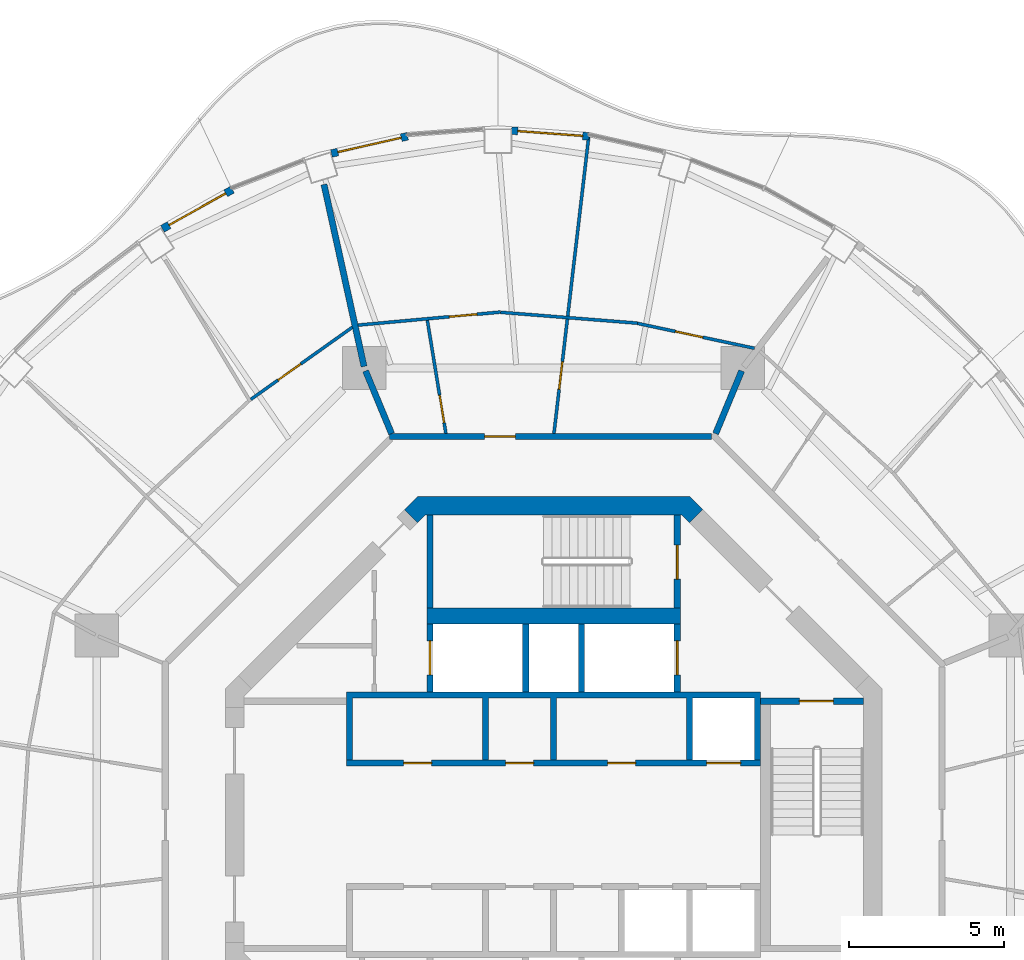
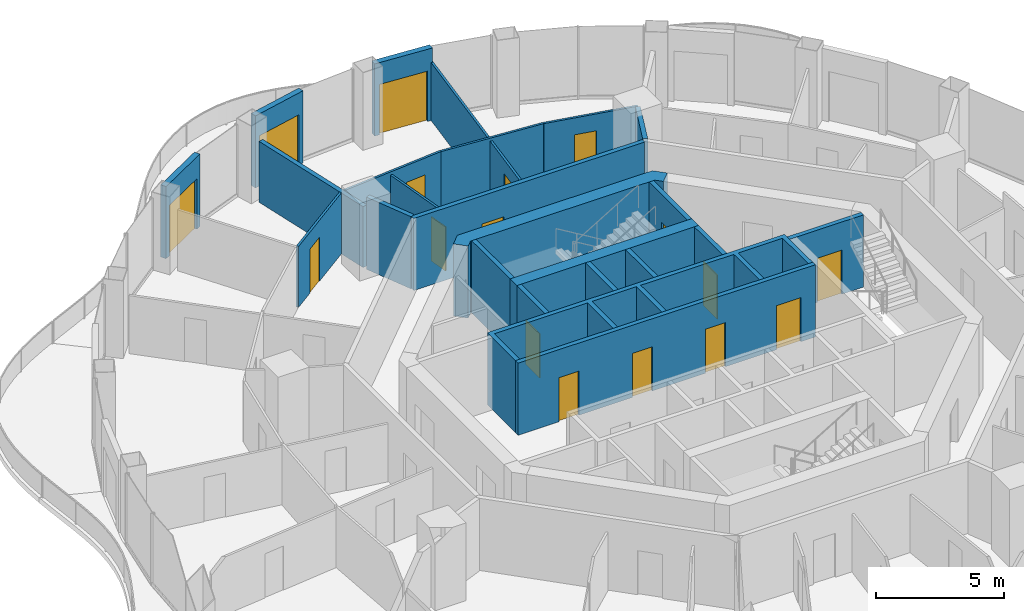
# One storey, part 13 of 17: 24 walls, 17 doors, 17 openings.
"""IFC4 building model written with IfcOpenShell, lengths in metres."""

from ifc_helpers import new_model, si_unit, direction, frame, frame_2d, origin, place, context, subcontext, project, spatial, polyline, rectangle, outline, extrude, material, layer, layer_set, type_object, element, fill, save


model = new_model("IFC4")

# Units and contexts
model_context = context("Model", 3, precision=1e-05, world=origin(), true_north=direction((0.0, 1.0)))
body_context = subcontext(model_context, "Body", "Model", "MODEL_VIEW")
ifc_project = project(units=[si_unit("LENGTHUNIT", "METRE"), si_unit("AREAUNIT", "SQUARE_METRE"), si_unit("VOLUMEUNIT", "CUBIC_METRE"), si_unit("PLANEANGLEUNIT", "RADIAN"), si_unit("MASSUNIT", "GRAM", prefix="KILO")], contexts=[model_context])

# Site, building, storey
site_placement = place(None, origin())
site = spatial("IfcSite", under=ifc_project, at=site_placement, CompositionType="ELEMENT")
building_placement = place(site_placement, origin())
building = spatial("IfcBuilding", under=site, at=building_placement, Name="Nagisa Residences", CompositionType="ELEMENT")
storey_placement = place(building_placement, frame((0.0, 0.0, 280.699951171875)))
storey = spatial("IfcBuildingStorey", under=building, at=storey_placement, Name="L71", CompositionType="ELEMENT", Elevation=280.699951171875)

# Walls
ifc_material_1 = material(Name="Gypsum board on steel studs", Category="steel")
ifc_layer_1 = layer(ifc_material_1, 0.199951171875)
ifc_layer_set_1 = layer_set([ifc_layer_1], Name="Apartment compartment wall EI60 200")
wall_type_1 = type_object("IfcWallType", Name="Apartment compartment wall EI60 200", PredefinedType="PARTITIONING", material=ifc_layer_set_1)
wall_1_placement = place(storey_placement, frame((5.24267578125, 12.6572265625, 0.0), z_axis=(0.0, 0.0, 1.0), x_axis=(0.382691608661, 0.923876145736, 0.0)))
element("IfcWall", 1, at=wall_1_placement, inside=storey, type_object=wall_type_1, Name="wall:L71:u02", PredefinedType="PARTITIONING", context=body_context, shape_type="SweptSolid", body=[
    extrude(rectangle(XDim=2.19970703125, YDim=0.199951171875, at=frame_2d((1.099853515625, 0.0))), origin(), (0.0, 0.0, 1.0), 3.43994140625),
])
wall_2_placement = place(storey_placement, frame((-5.24267578125, 12.6572265625, 0.0), z_axis=(0.0, 0.0, 1.0), x_axis=(-0.38273085373, 0.923859888513, 0.0)))
element("IfcWall", 2, at=wall_2_placement, inside=storey, type_object=wall_type_1, Name="wall:L71:u04", PredefinedType="PARTITIONING", context=body_context, shape_type="SweptSolid", body=[
    extrude(rectangle(XDim=2.199462890625, YDim=0.199951171875, at=frame_2d((1.099609375, 0.0))), origin(), (0.0, 0.0, 1.0), 3.43994140625),
])
wall_3_placement = place(storey_placement, frame((-6.133544921875, 14.830810546875, 0.0), z_axis=(0.0, 0.0, 1.0), x_axis=(-0.214842475666, 0.976648714047, 0.0)))
element("IfcWall", 3, at=wall_3_placement, inside=storey, type_object=wall_type_1, Name="wall:L71:u05", PredefinedType="PARTITIONING", context=body_context, shape_type="SweptSolid", body=[
    extrude(rectangle(XDim=6.03076171875, YDim=0.199951171875, at=frame_2d((3.015380859375, 0.0))), origin(), (0.0, 0.0, 1.0), 2.905029296875),
])

# Wall, opening, door
ifc_material_2 = material(Name="Gypsum board on steel studs", Category="steel")
ifc_layer_2 = layer(ifc_material_2, 0.199951171875)
ifc_layer_set_2 = layer_set([ifc_layer_2], Name="Apartment entry wall EI60 200")
wall_type_2 = type_object("IfcWallType", Name="Apartment entry wall EI60 200", PredefinedType="PARTITIONING", material=ifc_layer_set_2)
wall_4_placement = place(storey_placement, frame((5.1044921875, 12.564697265625, 0.0), z_axis=(0.0, 0.0, 1.0), x_axis=(-1.0, 0.0, 0.0)))
wall_4 = element("IfcWall", 4, at=wall_4_placement, inside=storey, type_object=wall_type_2, Name="wall:L71:u16", PredefinedType="PARTITIONING", context=body_context, shape_type="SweptSolid", body=[
    extrude(rectangle(XDim=10.408935546875, YDim=0.199951171875, at=frame_2d((5.20458984375, 0.0))), origin(), (0.0, 0.0, 1.0), 3.43994140625),
])
opening_1_placement = place(wall_4_placement, frame((6.33935546875, 0.0, 0.0)))
opening_1 = element("IfcOpeningElement", 5, at=opening_1_placement, cuts=wall_4, Name="Opening L71-U30", PredefinedType="OPENING", context=body_context, shape_type="SweptSolid", body=[
    extrude(rectangle(XDim=1.0, YDim=2.10009765625, at=frame_2d((0.5, 1.050048828125))), frame((0.0, 0.10986328125, 0.0), z_axis=(0.0, -1.0, 0.0), x_axis=(1.0, 0.0, 0.0)), (0.0, 0.0, 1.0), 0.219970703125),
])
ifc_material_3 = material(Name="Timber fire door set", Category="wood")
door_type_1 = type_object("IfcDoorType", Name="Apartment entry door FD30S 1000x2100", OperationType="NOTDEFINED", PredefinedType="DOOR", material=ifc_material_3)
door_1_placement = place(opening_1_placement, frame((1.0, 0.0, 0.0), x_axis=(-1.0, 0.0, 0.0)))
door_1 = element("IfcDoor", 6, at=door_1_placement, inside=storey, type_object=door_type_1, Name="Entry door, Apartment 71F", OperationType="SINGLE_SWING_LEFT", OverallHeight=2.10009765625, OverallWidth=1.0, PredefinedType="DOOR", context=body_context, shape_type="SweptSolid", body=[
    extrude(rectangle(XDim=1.0, YDim=2.10009765625, at=frame_2d((0.5, 1.050048828125))), frame((0.0, 0.02490234375, 0.0), z_axis=(0.0, -1.0, 0.0), x_axis=(1.0, 0.0, 0.0)), (0.0, 0.0, 1.0), 0.050048828125),
])
fill(opening_1, door_1)

ifc_material_4 = material(Name="Gypsum board on steel studs", Category="steel")
ifc_layer_3 = layer(ifc_material_4, 0.10009765625)
ifc_layer_set_3 = layer_set([ifc_layer_3], Name="Apartment partition 100")
wall_type_3 = type_object("IfcWallType", Name="Apartment partition 100", PredefinedType="PARTITIONING", material=ifc_layer_set_3)
wall_5_placement = place(storey_placement, frame((6.50048828125, 15.41943359375, 0.0), z_axis=(0.0, 0.0, 1.0), x_axis=(-0.978053492557, 0.208353943321, 0.0)))
wall_5 = element("IfcWall", 7, at=wall_5_placement, inside=storey, type_object=wall_type_3, Name="wall:L71:u33", PredefinedType="PARTITIONING", context=body_context, shape_type="SweptSolid", body=[
    extrude(rectangle(XDim=3.873779296875, YDim=0.10009765625, at=frame_2d((1.93701171875, 0.0))), origin(), (0.0, 0.0, 1.0), 2.905029296875),
])
opening_2_placement = place(wall_5_placement, frame((1.71435546875, 0.0, 0.0)))
opening_2 = element("IfcOpeningElement", 8, at=opening_2_placement, cuts=wall_5, Name="Opening L71-U33", PredefinedType="OPENING", context=body_context, shape_type="SweptSolid", body=[
    extrude(rectangle(XDim=0.89990234375, YDim=2.10009765625, at=frame_2d((0.449951171875, 1.050048828125))), frame((0.0, 0.06005859375, 0.0), z_axis=(0.0, -1.0, 0.0), x_axis=(1.0, 0.0, 0.0)), (0.0, 0.0, 1.0), 0.1201171875),
])
ifc_material_5 = material(Name="Timber door set", Category="wood")
door_type_2 = type_object("IfcDoorType", Name="Apartment door 900x2100", OperationType="NOTDEFINED", PredefinedType="DOOR", material=ifc_material_5)
door_2_placement = place(opening_2_placement, frame((0.89990234375, 0.0, 0.0), x_axis=(-1.0, 0.0, 0.0)))
door_2 = element("IfcDoor", 9, at=door_2_placement, inside=storey, type_object=door_type_2, Name="Door to kitchen, Apartment 71F", OperationType="SINGLE_SWING_RIGHT", OverallHeight=2.10009765625, OverallWidth=0.89990234375, PredefinedType="DOOR", context=body_context, shape_type="SweptSolid", body=[
    extrude(rectangle(XDim=0.89990234375, YDim=2.10009765625, at=frame_2d((0.449951171875, 1.050048828125))), frame((0.0, 0.02490234375, 0.0), z_axis=(0.0, -1.0, 0.0), x_axis=(1.0, 0.0, 0.0)), (0.0, 0.0, 1.0), 0.050048828125),
])
fill(opening_2, door_2)

# Wall
wall_6_placement = place(storey_placement, frame((2.712646484375, 16.23291015625, 0.0), z_axis=(0.0, 0.0, 1.0), x_axis=(-0.996870142942, 0.079056423588, 0.0)))
element("IfcWall", 10, at=wall_6_placement, inside=storey, type_object=wall_type_3, Name="wall:L71:u34", PredefinedType="PARTITIONING", context=body_context, shape_type="SweptSolid", body=[
    extrude(rectangle(XDim=4.437744140625, YDim=0.10009765625, at=frame_2d((2.21875, 0.0))), origin(), (0.0, 0.0, 1.0), 2.905029296875),
])

# Wall, opening, door
wall_7_placement = place(storey_placement, frame((0.01171875, 12.6640625, 0.0), z_axis=(0.0, 0.0, 1.0), x_axis=(0.11636251357, 0.993206808996, 0.0)))
wall_7 = element("IfcWall", 11, at=wall_7_placement, inside=storey, type_object=wall_type_3, Name="wall:L71:u35", PredefinedType="PARTITIONING", context=body_context, shape_type="SweptSolid", body=[
    extrude(rectangle(XDim=9.7646484375, YDim=0.10009765625, at=frame_2d((4.88232421875, 0.0))), origin(), (0.0, 0.0, 1.0), 2.761962890625),
])
opening_3_placement = place(wall_7_placement, frame((1.43701171875, 0.0, 0.0)))
opening_3 = element("IfcOpeningElement", 12, at=opening_3_placement, cuts=wall_7, Name="Opening L71-U31", PredefinedType="OPENING", context=body_context, shape_type="SweptSolid", body=[
    extrude(rectangle(XDim=0.89990234375, YDim=2.10009765625, at=frame_2d((0.449951171875, 1.050048828125))), frame((0.0, 0.06005859375, 0.0), z_axis=(0.0, -1.0, 0.0), x_axis=(1.0, 0.0, 0.0)), (0.0, 0.0, 1.0), 0.1201171875),
])
door_3_placement = place(opening_3_placement, frame((0.89990234375, 0.0, 0.0), x_axis=(-1.0, 0.0, 0.0)))
door_3 = element("IfcDoor", 13, at=door_3_placement, inside=storey, type_object=door_type_2, Name="Door to store, Apartment 71F", OperationType="SINGLE_SWING_RIGHT", OverallHeight=2.10009765625, OverallWidth=0.89990234375, PredefinedType="DOOR", context=body_context, shape_type="SweptSolid", body=[
    extrude(rectangle(XDim=0.89990234375, YDim=2.10009765625, at=frame_2d((0.449951171875, 1.050048828125))), frame((0.0, 0.02490234375, 0.0), z_axis=(0.0, -1.0, 0.0), x_axis=(1.0, 0.0, 0.0)), (0.0, 0.0, 1.0), 0.050048828125),
])
fill(opening_3, door_3)

wall_8_placement = place(storey_placement, frame((-1.711181640625, 16.59228515625, 0.0), z_axis=(0.0, 0.0, 1.0), x_axis=(-0.995843837247, -0.091077175065, 0.0)))
wall_8 = element("IfcWall", 14, at=wall_8_placement, inside=storey, type_object=wall_type_3, Name="wall:L71:u36", PredefinedType="PARTITIONING", context=body_context, shape_type="SweptSolid", body=[
    extrude(rectangle(XDim=4.634765625, YDim=0.10009765625, at=frame_2d((2.3173828125, 0.0))), origin(), (0.0, 0.0, 1.0), 2.905029296875),
])
opening_4_placement = place(wall_8_placement, frame((0.771240234375, 0.0, 0.0)))
opening_4 = element("IfcOpeningElement", 15, at=opening_4_placement, cuts=wall_8, Name="Opening L71-U34", PredefinedType="OPENING", context=body_context, shape_type="SweptSolid", body=[
    extrude(rectangle(XDim=0.89990234375, YDim=2.10009765625, at=frame_2d((0.449951171875, 1.050048828125))), frame((0.0, 0.06005859375, 0.0), z_axis=(0.0, -1.0, 0.0), x_axis=(1.0, 0.0, 0.0)), (0.0, 0.0, 1.0), 0.1201171875),
])
door_4_placement = place(opening_4_placement, frame((0.89990234375, 0.0, 0.0), x_axis=(-1.0, 0.0, 0.0)))
door_4 = element("IfcDoor", 16, at=door_4_placement, inside=storey, type_object=door_type_2, Name="Door to master bedroom, Apartment 71F", OperationType="SINGLE_SWING_LEFT", OverallHeight=2.10009765625, OverallWidth=0.89990234375, PredefinedType="DOOR", context=body_context, shape_type="SweptSolid", body=[
    extrude(rectangle(XDim=0.89990234375, YDim=2.10009765625, at=frame_2d((0.449951171875, 1.050048828125))), frame((0.0, 0.02490234375, 0.0), z_axis=(0.0, -1.0, 0.0), x_axis=(1.0, 0.0, 0.0)), (0.0, 0.0, 1.0), 0.050048828125),
])
fill(opening_4, door_4)

wall_9_placement = place(storey_placement, frame((-3.48583984375, 12.663330078125, 0.0), z_axis=(0.0, 0.0, 1.0), x_axis=(-0.161602751674, 0.986855891532, 0.0)))
wall_9 = element("IfcWall", 17, at=wall_9_placement, inside=storey, type_object=wall_type_3, Name="wall:L71:u37", PredefinedType="PARTITIONING", context=body_context, shape_type="SweptSolid", body=[
    extrude(rectangle(XDim=3.71044921875, YDim=0.10009765625, at=frame_2d((1.855224609375, 0.0))), origin(), (0.0, 0.0, 1.0), 2.761962890625),
])
opening_5_placement = place(wall_9_placement, frame((0.35009765625, 0.0, 0.0)))
opening_5 = element("IfcOpeningElement", 18, at=opening_5_placement, cuts=wall_9, Name="Opening L71-U32", PredefinedType="OPENING", context=body_context, shape_type="SweptSolid", body=[
    extrude(rectangle(XDim=0.89990234375, YDim=2.10009765625, at=frame_2d((0.449951171875, 1.050048828125))), frame((0.0, 0.06005859375, 0.0), z_axis=(0.0, -1.0, 0.0), x_axis=(1.0, 0.0, 0.0)), (0.0, 0.0, 1.0), 0.1201171875),
])
door_5_placement = place(opening_5_placement, origin())
door_5 = element("IfcDoor", 19, at=door_5_placement, inside=storey, type_object=door_type_2, Name="Door to family bathroom, Apartment 71F", OperationType="SINGLE_SWING_RIGHT", OverallHeight=2.10009765625, OverallWidth=0.89990234375, PredefinedType="DOOR", context=body_context, shape_type="SweptSolid", body=[
    extrude(rectangle(XDim=0.89990234375, YDim=2.10009765625, at=frame_2d((0.449951171875, 1.050048828125))), frame((0.0, 0.02490234375, 0.0), z_axis=(0.0, -1.0, 0.0), x_axis=(1.0, 0.0, 0.0)), (0.0, 0.0, 1.0), 0.050048828125),
])
fill(opening_5, door_5)

wall_10_placement = place(storey_placement, frame((-6.5078125, 16.10302734375, 0.0), z_axis=(0.0, 0.0, 1.0), x_axis=(-0.815202203556, -0.579176456114, 0.0)))
wall_10 = element("IfcWall", 20, at=wall_10_placement, inside=storey, type_object=wall_type_3, Name="wall:L71:u38", PredefinedType="PARTITIONING", context=body_context, shape_type="SweptSolid", body=[
    extrude(rectangle(XDim=4.0361328125, YDim=0.10009765625, at=frame_2d((2.01806640625, 0.0))), origin(), (0.0, 0.0, 1.0), 2.905029296875),
])
opening_6_placement = place(wall_10_placement, frame((2.055419921875, 0.0, 0.0)))
opening_6 = element("IfcOpeningElement", 21, at=opening_6_placement, cuts=wall_10, Name="Opening L71-U44", PredefinedType="OPENING", context=body_context, shape_type="SweptSolid", body=[
    extrude(rectangle(XDim=0.89990234375, YDim=2.10009765625, at=frame_2d((0.449951171875, 1.050048828125))), frame((0.0, 0.06005859375, 0.0), z_axis=(0.0, -1.0, 0.0), x_axis=(1.0, 0.0, 0.0)), (0.0, 0.0, 1.0), 0.1201171875),
])
door_6_placement = place(opening_6_placement, frame((0.89990234375, 0.0, 0.0), x_axis=(-1.0, 0.0, 0.0)))
door_6 = element("IfcDoor", 22, at=door_6_placement, inside=storey, type_object=door_type_2, Name="Door to kitchen, Apartment 71G", OperationType="SINGLE_SWING_LEFT", OverallHeight=2.10009765625, OverallWidth=0.89990234375, PredefinedType="DOOR", context=body_context, shape_type="SweptSolid", body=[
    extrude(rectangle(XDim=0.89990234375, YDim=2.10009765625, at=frame_2d((0.449951171875, 1.050048828125))), frame((0.0, 0.02490234375, 0.0), z_axis=(0.0, -1.0, 0.0), x_axis=(1.0, 0.0, 0.0)), (0.0, 0.0, 1.0), 0.050048828125),
])
fill(opening_6, door_6)

ifc_material_6 = material(Name="Precast concrete C40/50", Category="concrete")
ifc_layer_4 = layer(ifc_material_6, 0.25)
ifc_layer_set_4 = layer_set([ifc_layer_4], Name="BALCONY DOOR WALL 250")
wall_type_4 = type_object("IfcWallType", Name="BALCONY DOOR WALL 250", PredefinedType="SOLIDWALL", material=ifc_layer_set_4)
wall_11_placement = place(storey_placement, frame((-1.360595703125, 22.464111328125, 0.0), z_axis=(0.0, 0.0, 1.0), x_axis=(0.997229684519, -0.074383844448, 0.0)))
wall_11 = element("IfcWall", 23, at=wall_11_placement, inside=storey, type_object=wall_type_4, Name="wall:L71:bay11", PredefinedType="SOLIDWALL", context=body_context, shape_type="SweptSolid", body=[
    extrude(rectangle(XDim=2.5107421875, YDim=0.25, at=frame_2d((1.25537109375, 0.0))), origin(), (0.0, 0.0, 1.0), 3.43994140625),
])
opening_7_placement = place(wall_11_placement, frame((0.205322265625, 0.0, 0.0)))
opening_7 = element("IfcOpeningElement", 24, at=opening_7_placement, cuts=wall_11, Name="Opening BD-L71-04", PredefinedType="OPENING", context=body_context, shape_type="SweptSolid", body=[
    extrude(rectangle(XDim=2.10009765625, YDim=2.39990234375, at=frame_2d((1.050048828125, 1.199951171875))), frame((0.0, 0.135009765625, 0.0), z_axis=(0.0, -1.0, 0.0), x_axis=(1.0, 0.0, 0.0)), (0.0, 0.0, 1.0), 0.27001953125),
])
ifc_material_7 = material(Name="Aluminium and clear glass", Category="aluminium")
door_type_3 = type_object("IfcDoorType", Name="BALCONY SLIDING DOOR 2100x2400", OperationType="SLIDING_TO_LEFT", PredefinedType="DOOR", material=ifc_material_7)
door_7_placement = place(opening_7_placement, origin())
door_7 = element("IfcDoor", 25, at=door_7_placement, inside=storey, type_object=door_type_3, Name="door:L71:bay11", OperationType="SLIDING_TO_LEFT", OverallHeight=2.39990234375, OverallWidth=2.10009765625, PredefinedType="DOOR", context=body_context, shape_type="SweptSolid", body=[
    extrude(rectangle(XDim=2.10009765625, YDim=2.39990234375, at=frame_2d((1.050048828125, 1.199951171875))), frame((0.0, 0.02490234375, 0.0), z_axis=(0.0, -1.0, 0.0), x_axis=(1.0, 0.0, 0.0)), (0.0, 0.0, 1.0), 0.050048828125),
])
fill(opening_7, door_7)

wall_12_placement = place(storey_placement, frame((-7.18798828125, 21.72265625, 0.0), z_axis=(0.0, 0.0, 1.0), x_axis=(0.975319584032, 0.220797891756, 0.0)))
wall_12 = element("IfcWall", 26, at=wall_12_placement, inside=storey, type_object=wall_type_4, Name="wall:L71:bay13", PredefinedType="SOLIDWALL", context=body_context, shape_type="SweptSolid", body=[
    extrude(rectangle(XDim=2.525390625, YDim=0.25, at=frame_2d((1.2626953125, 0.0))), origin(), (0.0, 0.0, 1.0), 3.43994140625),
])
opening_8_placement = place(wall_12_placement, frame((0.212646484375, 0.0, 0.0)))
opening_8 = element("IfcOpeningElement", 27, at=opening_8_placement, cuts=wall_12, Name="Opening BD-L71-05", PredefinedType="OPENING", context=body_context, shape_type="SweptSolid", body=[
    extrude(rectangle(XDim=2.10009765625, YDim=2.39990234375, at=frame_2d((1.050048828125, 1.199951171875))), frame((0.0, 0.135009765625, 0.0), z_axis=(0.0, -1.0, 0.0), x_axis=(1.0, 0.0, 0.0)), (0.0, 0.0, 1.0), 0.27001953125),
])
door_8_placement = place(opening_8_placement, origin())
door_8 = element("IfcDoor", 28, at=door_8_placement, inside=storey, type_object=door_type_3, Name="door:L71:bay13", OperationType="SLIDING_TO_LEFT", OverallHeight=2.39990234375, OverallWidth=2.10009765625, PredefinedType="DOOR", context=body_context, shape_type="SweptSolid", body=[
    extrude(rectangle(XDim=2.10009765625, YDim=2.39990234375, at=frame_2d((1.050048828125, 1.199951171875))), frame((0.0, 0.02490234375, 0.0), z_axis=(0.0, -1.0, 0.0), x_axis=(1.0, 0.0, 0.0)), (0.0, 0.0, 1.0), 0.050048828125),
])
fill(opening_8, door_8)

wall_13_placement = place(storey_placement, frame((-12.656494140625, 19.284912109375, 0.0), z_axis=(0.0, 0.0, 1.0), x_axis=(0.872075426507, 0.489371485154, 0.0)))
wall_13 = element("IfcWall", 29, at=wall_13_placement, inside=storey, type_object=wall_type_4, Name="wall:L71:bay15", PredefinedType="SOLIDWALL", context=body_context, shape_type="SweptSolid", body=[
    extrude(rectangle(XDim=2.59326171875, YDim=0.25, at=frame_2d((1.296630859375, 0.0))), origin(), (0.0, 0.0, 1.0), 3.43994140625),
])
opening_9_placement = place(wall_13_placement, frame((0.24658203125, 0.0, 0.0)))
opening_9 = element("IfcOpeningElement", 30, at=opening_9_placement, cuts=wall_13, Name="Opening BD-L71-06", PredefinedType="OPENING", context=body_context, shape_type="SweptSolid", body=[
    extrude(rectangle(XDim=2.10009765625, YDim=2.39990234375, at=frame_2d((1.050048828125, 1.199951171875))), frame((0.0, 0.135009765625, 0.0), z_axis=(0.0, -1.0, 0.0), x_axis=(1.0, 0.0, 0.0)), (0.0, 0.0, 1.0), 0.27001953125),
])
door_9_placement = place(opening_9_placement, origin())
door_9 = element("IfcDoor", 31, at=door_9_placement, inside=storey, type_object=door_type_3, Name="door:L71:bay15", OperationType="SLIDING_TO_LEFT", OverallHeight=2.39990234375, OverallWidth=2.10009765625, PredefinedType="DOOR", context=body_context, shape_type="SweptSolid", body=[
    extrude(rectangle(XDim=2.10009765625, YDim=2.39990234375, at=frame_2d((1.050048828125, 1.199951171875))), frame((0.0, 0.02490234375, 0.0), z_axis=(0.0, -1.0, 0.0), x_axis=(1.0, 0.0, 0.0)), (0.0, 0.0, 1.0), 0.050048828125),
])
fill(opening_9, door_9)

# Wall
ifc_material_8 = material(Name="Concrete C60", Category="concrete")
ifc_layer_5 = layer(ifc_material_8, 0.60009765625)
ifc_layer_set_5 = layer_set([ifc_layer_5], Name="Core shear wall 600")
wall_type_5 = type_object("IfcWallType", Name="Core shear wall 600", PredefinedType="SHEAR", material=ifc_layer_set_5)
wall_14_placement = place(storey_placement, origin())
element("IfcWall", 32, at=wall_14_placement, inside=storey, type_object=wall_type_5, Name="wall:L71:core:flat2", PredefinedType="SHEAR", context=body_context, shape_type="SweptSolid", body=[
    extrude(outline(polyline([(-4.15234375, 10.024658203125), (-4.40087890625, 9.776123046875), (-4.8251953125, 10.200439453125), (-4.40087890625, 10.62451171875), (4.40087890625, 10.62451171875), (4.8251953125, 10.200439453125), (4.40087890625, 9.776123046875), (4.15234375, 10.024658203125), (-4.15234375, 10.024658203125)])), origin(), (0.0, 0.0, 1.0), 3.43994140625),
])

# Wall, opening, door
ifc_material_9 = material(Name="Concrete C60", Category="concrete")
ifc_layer_6 = layer(ifc_material_9, 0.199951171875)
ifc_layer_set_6 = layer_set([ifc_layer_6], Name="Lift shaft wall 200")
wall_type_6 = type_object("IfcWallType", Name="Lift shaft wall 200", PredefinedType="SOLIDWALL", material=ifc_layer_set_6)
wall_15_placement = place(storey_placement, frame((4.0, 4.300048828125, 0.0), z_axis=(0.0, 0.0, 1.0), x_axis=(0.0, 1.0, 0.0)))
wall_15 = element("IfcWall", 33, at=wall_15_placement, inside=storey, type_object=wall_type_6, Name="wall:L71:Nb3", PredefinedType="SOLIDWALL", context=body_context, shape_type="SweptSolid", body=[
    extrude(rectangle(XDim=2.199951171875, YDim=0.199951171875, at=frame_2d((1.10009765625, 0.0))), origin(), (0.0, 0.0, 1.0), 3.43994140625),
])
opening_10_placement = place(wall_15_placement, frame((0.550048828125, 0.0, 0.0)))
opening_10 = element("IfcOpeningElement", 34, at=opening_10_placement, cuts=wall_15, Name="Opening L71-C04", PredefinedType="OPENING", context=body_context, shape_type="SweptSolid", body=[
    extrude(rectangle(XDim=1.10009765625, YDim=2.10009765625, at=frame_2d((0.550048828125, 1.050048828125))), frame((0.0, 0.10986328125, 0.0), z_axis=(0.0, -1.0, 0.0), x_axis=(1.0, 0.0, 0.0)), (0.0, 0.0, 1.0), 0.219970703125),
])
ifc_material_10 = material(Name="Stainless steel", Category="steel")
door_type_4 = type_object("IfcDoorType", Name="Lift landing door 1100x2100", OperationType="DOUBLE_DOOR_SLIDING", PredefinedType="DOOR", material=ifc_material_10)
door_10_placement = place(opening_10_placement, origin())
door_10 = element("IfcDoor", 35, at=door_10_placement, inside=storey, type_object=door_type_4, Name="Landing door FL1 L71", OperationType="DOUBLE_DOOR_SLIDING", OverallHeight=2.10009765625, OverallWidth=1.10009765625, PredefinedType="DOOR", context=body_context, shape_type="SweptSolid", body=[
    extrude(rectangle(XDim=1.10009765625, YDim=2.10009765625, at=frame_2d((0.550048828125, 1.050048828125))), frame((0.0, 0.02490234375, 0.0), z_axis=(0.0, -1.0, 0.0), x_axis=(1.0, 0.0, 0.0)), (0.0, 0.0, 1.0), 0.050048828125),
])
fill(opening_10, door_10)

wall_16_placement = place(storey_placement, frame((-4.0, 4.300048828125, 0.0), z_axis=(0.0, 0.0, 1.0), x_axis=(0.0, 1.0, 0.0)))
wall_16 = element("IfcWall", 36, at=wall_16_placement, inside=storey, type_object=wall_type_6, Name="wall:L71:Nb4", PredefinedType="SOLIDWALL", context=body_context, shape_type="SweptSolid", body=[
    extrude(rectangle(XDim=2.199951171875, YDim=0.199951171875, at=frame_2d((1.10009765625, 0.0))), origin(), (0.0, 0.0, 1.0), 3.43994140625),
])
opening_11_placement = place(wall_16_placement, frame((0.550048828125, 0.0, 0.0)))
opening_11 = element("IfcOpeningElement", 37, at=opening_11_placement, cuts=wall_16, Name="Opening L71-C06", PredefinedType="OPENING", context=body_context, shape_type="SweptSolid", body=[
    extrude(rectangle(XDim=1.10009765625, YDim=2.10009765625, at=frame_2d((0.550048828125, 1.050048828125))), frame((0.0, 0.10986328125, 0.0), z_axis=(0.0, -1.0, 0.0), x_axis=(1.0, 0.0, 0.0)), (0.0, 0.0, 1.0), 0.219970703125),
])
door_11_placement = place(opening_11_placement, origin())
door_11 = element("IfcDoor", 38, at=door_11_placement, inside=storey, type_object=door_type_4, Name="Landing door SV L71", OperationType="DOUBLE_DOOR_SLIDING", OverallHeight=2.10009765625, OverallWidth=1.10009765625, PredefinedType="DOOR", context=body_context, shape_type="SweptSolid", body=[
    extrude(rectangle(XDim=1.10009765625, YDim=2.10009765625, at=frame_2d((0.550048828125, 1.050048828125))), frame((0.0, 0.02490234375, 0.0), z_axis=(0.0, -1.0, 0.0), x_axis=(1.0, 0.0, 0.0)), (0.0, 0.0, 1.0), 0.050048828125),
])
fill(opening_11, door_11)

# Wall, openings, doors
wall_17_placement = place(storey_placement, frame((-6.699951171875, 2.0, 0.0), z_axis=(0.0, 0.0, 1.0), x_axis=(1.0, 0.0, 0.0)))
wall_17 = element("IfcWall", 39, at=wall_17_placement, inside=storey, type_object=wall_type_6, Name="wall:L71:Nfront", PredefinedType="SOLIDWALL", context=body_context, shape_type="SweptSolid", body=[
    extrude(rectangle(XDim=13.39990234375, YDim=0.199951171875, at=frame_2d((6.699951171875, 0.0))), origin(), (0.0, 0.0, 1.0), 3.43994140625),
])
opening_12_placement = place(wall_17_placement, frame((11.64990234375, 0.0, 0.0)))
opening_12 = element("IfcOpeningElement", 40, at=opening_12_placement, cuts=wall_17, Name="Opening L71-C01", PredefinedType="OPENING", context=body_context, shape_type="SweptSolid", body=[
    extrude(rectangle(XDim=1.10009765625, YDim=2.10009765625, at=frame_2d((0.550048828125, 1.050048828125))), frame((0.0, 0.10986328125, 0.0), z_axis=(0.0, -1.0, 0.0), x_axis=(1.0, 0.0, 0.0)), (0.0, 0.0, 1.0), 0.219970703125),
])
opening_13_placement = place(wall_17_placement, frame((1.85009765625, 0.0, 0.0)))
opening_13 = element("IfcOpeningElement", 41, at=opening_13_placement, cuts=wall_17, Name="Opening L71-C15", PredefinedType="OPENING", context=body_context, shape_type="SweptSolid", body=[
    extrude(rectangle(XDim=0.89990234375, YDim=2.10009765625, at=frame_2d((0.449951171875, 1.050048828125))), frame((0.0, 0.10986328125, 0.0), z_axis=(0.0, -1.0, 0.0), x_axis=(1.0, 0.0, 0.0)), (0.0, 0.0, 1.0), 0.219970703125),
])
opening_14_placement = place(wall_17_placement, frame((5.14990234375, 0.0, 0.0)))
opening_14 = element("IfcOpeningElement", 42, at=opening_14_placement, cuts=wall_17, Name="Opening L71-C16", PredefinedType="OPENING", context=body_context, shape_type="SweptSolid", body=[
    extrude(rectangle(XDim=0.89990234375, YDim=2.10009765625, at=frame_2d((0.449951171875, 1.050048828125))), frame((0.0, 0.10986328125, 0.0), z_axis=(0.0, -1.0, 0.0), x_axis=(1.0, 0.0, 0.0)), (0.0, 0.0, 1.0), 0.219970703125),
])
opening_15_placement = place(wall_17_placement, frame((8.449951171875, 0.0, 0.0)))
opening_15 = element("IfcOpeningElement", 43, at=opening_15_placement, cuts=wall_17, Name="Opening L71-C17", PredefinedType="OPENING", context=body_context, shape_type="SweptSolid", body=[
    extrude(rectangle(XDim=0.89990234375, YDim=2.10009765625, at=frame_2d((0.449951171875, 1.050048828125))), frame((0.0, 0.10986328125, 0.0), z_axis=(0.0, -1.0, 0.0), x_axis=(1.0, 0.0, 0.0)), (0.0, 0.0, 1.0), 0.219970703125),
])
ifc_material_11 = material(Name="Steel fire door", Category="steel")
door_type_5 = type_object("IfcDoorType", Name="Fire door EI30 900x2100 single swing", OperationType="NOTDEFINED", PredefinedType="DOOR", material=ifc_material_11)
door_12_placement = place(opening_13_placement, origin())
door_12 = element("IfcDoor", 44, at=door_12_placement, inside=storey, type_object=door_type_5, Name="Linen store door L71", OperationType="SINGLE_SWING_RIGHT", OverallHeight=2.10009765625, OverallWidth=0.89990234375, PredefinedType="DOOR", context=body_context, shape_type="SweptSolid", body=[
    extrude(rectangle(XDim=0.89990234375, YDim=2.10009765625, at=frame_2d((0.449951171875, 1.050048828125))), frame((0.0, 0.02490234375, 0.0), z_axis=(0.0, -1.0, 0.0), x_axis=(1.0, 0.0, 0.0)), (0.0, 0.0, 1.0), 0.050048828125),
])
fill(opening_13, door_12)
door_13_placement = place(opening_14_placement, origin())
door_13 = element("IfcDoor", 45, at=door_13_placement, inside=storey, type_object=door_type_5, Name="Tea preparation door L71", OperationType="SINGLE_SWING_RIGHT", OverallHeight=2.10009765625, OverallWidth=0.89990234375, PredefinedType="DOOR", context=body_context, shape_type="SweptSolid", body=[
    extrude(rectangle(XDim=0.89990234375, YDim=2.10009765625, at=frame_2d((0.449951171875, 1.050048828125))), frame((0.0, 0.02490234375, 0.0), z_axis=(0.0, -1.0, 0.0), x_axis=(1.0, 0.0, 0.0)), (0.0, 0.0, 1.0), 0.050048828125),
])
fill(opening_14, door_13)
door_14_placement = place(opening_15_placement, origin())
door_14 = element("IfcDoor", 46, at=door_14_placement, inside=storey, type_object=door_type_5, Name="Housekeeping store door L71", OperationType="SINGLE_SWING_RIGHT", OverallHeight=2.10009765625, OverallWidth=0.89990234375, PredefinedType="DOOR", context=body_context, shape_type="SweptSolid", body=[
    extrude(rectangle(XDim=0.89990234375, YDim=2.10009765625, at=frame_2d((0.449951171875, 1.050048828125))), frame((0.0, 0.02490234375, 0.0), z_axis=(0.0, -1.0, 0.0), x_axis=(1.0, 0.0, 0.0)), (0.0, 0.0, 1.0), 0.050048828125),
])
fill(opening_15, door_14)
door_15_placement = place(opening_12_placement, origin())
door_15 = element("IfcDoor", 47, at=door_15_placement, inside=storey, type_object=door_type_4, Name="Landing door C1 L71", OperationType="DOUBLE_DOOR_SLIDING", OverallHeight=2.10009765625, OverallWidth=1.10009765625, PredefinedType="DOOR", context=body_context, shape_type="SweptSolid", body=[
    extrude(rectangle(XDim=1.10009765625, YDim=2.10009765625, at=frame_2d((0.550048828125, 1.050048828125))), frame((0.0, 0.02490234375, 0.0), z_axis=(0.0, -1.0, 0.0), x_axis=(1.0, 0.0, 0.0)), (0.0, 0.0, 1.0), 0.050048828125),
])
fill(opening_12, door_15)

# Walls
for number, where, z_axis, x_axis, name in (
    (48, (-0.89990234375, 4.300048828125, 0.0), (0.0, 0.0, 1.0), (0.0, 1.0, 0.0), "wall:L71:Nb1"),
    (49, (0.89990234375, 4.300048828125, 0.0), (0.0, 0.0, 1.0), (0.0, 1.0, 0.0), "wall:L71:Nb2"),
):
    element("IfcWall", number, at=place(storey_placement, frame(where, z_axis=z_axis, x_axis=x_axis)), inside=storey, type_object=wall_type_6, Name=name, PredefinedType="SOLIDWALL", context=body_context, shape_type="SweptSolid", body=[
        extrude(rectangle(XDim=2.199951171875, YDim=0.199951171875, at=frame_2d((1.10009765625, 0.0))), origin(), (0.0, 0.0, 1.0), 3.43994140625),
    ])
wall_18_placement = place(storey_placement, origin())
element("IfcWall", 50, at=wall_18_placement, inside=storey, type_object=wall_type_6, Name="wall:L71:Nback", PredefinedType="SOLIDWALL", context=body_context, shape_type="SweptSolid", body=[
    extrude(outline(polyline([(-6.699951171875, 4.300048828125), (6.699951171875, 4.300048828125), (6.699951171875, 2.10009765625), (6.5, 2.10009765625), (6.5, 4.10009765625), (4.5, 4.10009765625), (4.5, 2.10009765625), (4.300048828125, 2.10009765625), (4.300048828125, 4.10009765625), (0.10009765625, 4.10009765625), (0.10009765625, 2.10009765625), (-0.10009765625, 2.10009765625), (-0.10009765625, 4.10009765625), (-2.10009765625, 4.10009765625), (-2.10009765625, 2.10009765625), (-2.300048828125, 2.10009765625), (-2.300048828125, 4.10009765625), (-6.5, 4.10009765625), (-6.5, 2.10009765625), (-6.699951171875, 2.10009765625), (-6.699951171875, 4.300048828125)])), origin(), (0.0, 0.0, 1.0), 3.43994140625),
])

# Wall, opening, door
ifc_material_12 = material(Name="Concrete C60", Category="concrete")
ifc_layer_7 = layer(ifc_material_12, 0.199951171875)
ifc_layer_set_7 = layer_set([ifc_layer_7], Name="Stair enclosure wall 200")
wall_type_7 = type_object("IfcWallType", Name="Stair enclosure wall 200", PredefinedType="SOLIDWALL", material=ifc_layer_set_7)
wall_19_placement = place(storey_placement, frame((6.699951171875, 4.0, 0.0), z_axis=(0.0, 0.0, 1.0), x_axis=(1.0, 0.0, 0.0)))
wall_19 = element("IfcWall", 51, at=wall_19_placement, inside=storey, type_object=wall_type_7, Name="wall:L71:SE_n", PredefinedType="SOLIDWALL", context=body_context, shape_type="SweptSolid", body=[
    extrude(rectangle(XDim=3.32470703125, YDim=0.199951171875, at=frame_2d((1.662353515625, 0.0))), origin(), (0.0, 0.0, 1.0), 3.43994140625),
])
opening_16_placement = place(wall_19_placement, frame((1.25, 0.0, 0.0)))
opening_16 = element("IfcOpeningElement", 52, at=opening_16_placement, cuts=wall_19, Name="Opening L71-C07", PredefinedType="OPENING", context=body_context, shape_type="SweptSolid", body=[
    extrude(rectangle(XDim=1.10009765625, YDim=2.10009765625, at=frame_2d((0.550048828125, 1.050048828125))), frame((0.0, 0.10986328125, 0.0), z_axis=(0.0, -1.0, 0.0), x_axis=(1.0, 0.0, 0.0)), (0.0, 0.0, 1.0), 0.219970703125),
])
ifc_material_13 = material(Name="Steel fire door", Category="steel")
door_type_6 = type_object("IfcDoorType", Name="Fire door EI90 1100x2100 single swing", OperationType="NOTDEFINED", PredefinedType="DOOR", material=ifc_material_13)
door_16_placement = place(opening_16_placement, frame((1.10009765625, 0.0, 0.0), x_axis=(-1.0, 0.0, 0.0)))
door_16 = element("IfcDoor", 53, at=door_16_placement, inside=storey, type_object=door_type_6, Name="Stair door ST-E L71", OperationType="SINGLE_SWING_LEFT", OverallHeight=2.10009765625, OverallWidth=1.10009765625, PredefinedType="DOOR", context=body_context, shape_type="SweptSolid", body=[
    extrude(rectangle(XDim=1.10009765625, YDim=2.10009765625, at=frame_2d((0.550048828125, 1.050048828125))), frame((0.0, 0.02490234375, 0.0), z_axis=(0.0, -1.0, 0.0), x_axis=(1.0, 0.0, 0.0)), (0.0, 0.0, 1.0), 0.050048828125),
])
fill(opening_16, door_16)

wall_20_placement = place(storey_placement, frame((4.0, 7.024658203125, 0.0), z_axis=(0.0, 0.0, 1.0), x_axis=(0.0, 1.0, 0.0)))
wall_20 = element("IfcWall", 54, at=wall_20_placement, inside=storey, type_object=wall_type_7, Name="wall:L71:SN_e", PredefinedType="SOLIDWALL", context=body_context, shape_type="SweptSolid", body=[
    extrude(rectangle(XDim=3.0, YDim=0.199951171875, at=frame_2d((1.5, 0.0))), origin(), (0.0, 0.0, 1.0), 3.43994140625),
])
opening_17_placement = place(wall_20_placement, frame((0.92529296875, 0.0, 0.0)))
opening_17 = element("IfcOpeningElement", 55, at=opening_17_placement, cuts=wall_20, Name="Opening L71-C08", PredefinedType="OPENING", context=body_context, shape_type="SweptSolid", body=[
    extrude(rectangle(XDim=1.10009765625, YDim=2.10009765625, at=frame_2d((0.550048828125, 1.050048828125))), frame((0.0, 0.10986328125, 0.0), z_axis=(0.0, -1.0, 0.0), x_axis=(1.0, 0.0, 0.0)), (0.0, 0.0, 1.0), 0.219970703125),
])
door_17_placement = place(opening_17_placement, origin())
door_17 = element("IfcDoor", 56, at=door_17_placement, inside=storey, type_object=door_type_6, Name="Stair door ST-N L71", OperationType="SINGLE_SWING_RIGHT", OverallHeight=2.10009765625, OverallWidth=1.10009765625, PredefinedType="DOOR", context=body_context, shape_type="SweptSolid", body=[
    extrude(rectangle(XDim=1.10009765625, YDim=2.10009765625, at=frame_2d((0.550048828125, 1.050048828125))), frame((0.0, 0.02490234375, 0.0), z_axis=(0.0, -1.0, 0.0), x_axis=(1.0, 0.0, 0.0)), (0.0, 0.0, 1.0), 0.050048828125),
])
fill(opening_17, door_17)

# Walls
wall_21_placement = place(storey_placement, origin())
element("IfcWall", 57, at=wall_21_placement, inside=storey, type_object=wall_type_7, Name="wall:L71:SN_w", PredefinedType="SOLIDWALL", context=body_context, shape_type="SweptSolid", body=[
    extrude(outline(polyline([(-3.89990234375, 7.024658203125), (-4.10009765625, 7.024658203125), (-4.10009765625, 10.024658203125), (-3.89990234375, 10.024658203125), (-3.89990234375, 7.024658203125)])), origin(), (0.0, 0.0, 1.0), 3.43994140625),
])
wall_22_placement = place(storey_placement, origin())
element("IfcWall", 58, at=wall_22_placement, inside=storey, type_object=wall_type_7, Name="wall:L71:SN_s", PredefinedType="SOLIDWALL", context=body_context, shape_type="SweptSolid", body=[
    extrude(outline(polyline([(4.10009765625, 6.5), (-4.10009765625, 6.5), (-4.10009765625, 7.024658203125), (4.10009765625, 7.024658203125), (4.10009765625, 6.5)])), origin(), (0.0, 0.0, 1.0), 3.43994140625),
])

save(model, "model.ifc")
